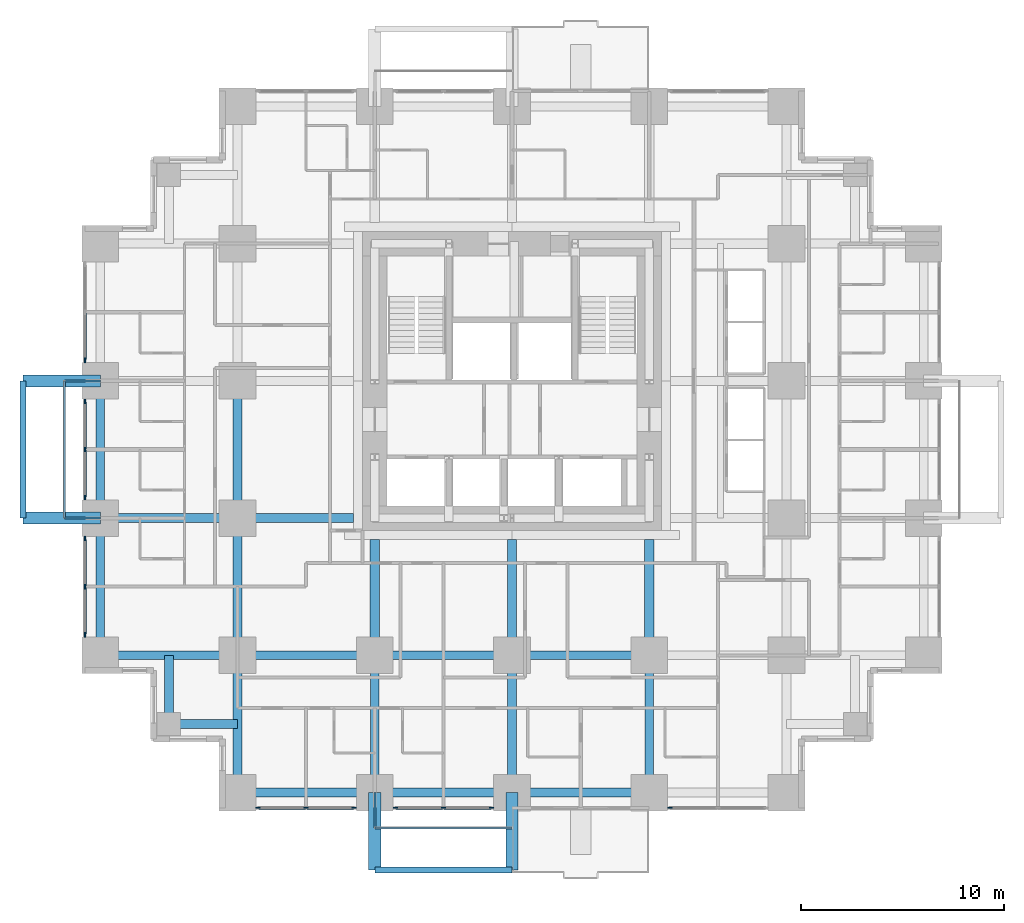
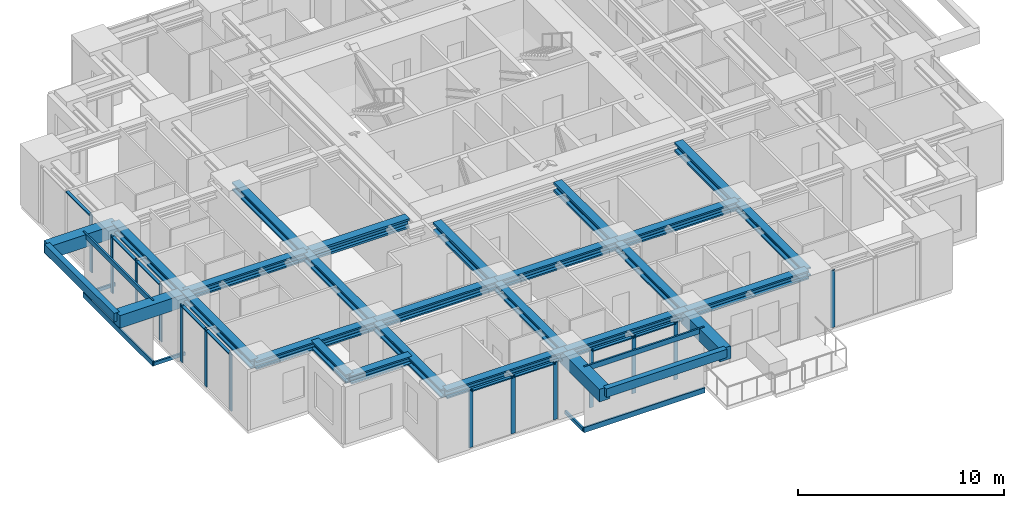
# One storey, part 2 of 12: 30 members, 28 beams, 6 elements without a shape of their own.
"""IFC4 building model written with IfcOpenShell, lengths in metres."""

from ifc_helpers import new_model, si_unit, direction, frame, origin, origin_2d, place, context, subcontext, project, spatial, rectangle, hollow_rectangle, i_section, extrude, material, material_profile, profile_set, type_object, element, aggregate, save


model = new_model("IFC4")

# Units and contexts
model_context = context("Model", 3, precision=1e-05, world=origin(), true_north=direction((0.0, 1.0)))
body_context = subcontext(model_context, "Body", "Model", "MODEL_VIEW")
ifc_project = project(units=[si_unit("LENGTHUNIT", "METRE"), si_unit("AREAUNIT", "SQUARE_METRE"), si_unit("VOLUMEUNIT", "CUBIC_METRE"), si_unit("PLANEANGLEUNIT", "RADIAN"), si_unit("MASSUNIT", "GRAM", prefix="KILO")], contexts=[model_context])

# Site, building, storey
site_placement = place(None, origin())
site = spatial("IfcSite", under=ifc_project, at=site_placement, CompositionType="ELEMENT")
building_placement = place(site_placement, origin())
building = spatial("IfcBuilding", under=site, at=building_placement, Name="Nyansa Garden Tower", CompositionType="ELEMENT")
storey_placement = place(building_placement, frame((0.0, 0.0, 98.10009765625)))
storey = spatial("IfcBuildingStorey", under=building, at=storey_placement, Name="L26", CompositionType="ELEMENT", Elevation=98.10009765625)

# Beams
ifc_material_1 = material(Name="Concrete C70/85", Category="concrete")
ifc_material_profile_1 = material_profile(ifc_material_1, rectangle(XDim=0.60009765625, YDim=0.75, at=origin_2d()), Name="RC 600x750")
ifc_profile_set_1 = profile_set([ifc_material_profile_1], Name="Concrete C70/85")
beam_type_1 = type_object("IfcBeamType", Name="Balcony cantilever beam CB1 RC 600x750", PredefinedType="BEAM", material=ifc_profile_set_1)
for number, where, z_axis, x_axis, name in (
    (1, (13.5, 0.0, 2.98486328125), (0.0, -1.0, 0.0), (1.0, 0.0, 0.0), "Balcony cantilever beam L27"),
    (2, (20.25, 0.0, 2.98486328125), (0.0, -1.0, 0.0), (1.0, 0.0, 0.0), "Balcony cantilever beam L27"),
    (3, (0.0, 13.5, 2.98486328125), (-1.0, 0.0, 0.0), (0.0, -1.0, 0.0), "Balcony cantilever beam L27"),
    (4, (0.0, 20.25, 2.98486328125), (-1.0, 0.0, 0.0), (0.0, -1.0, 0.0), "Balcony cantilever beam L27"),
):
    element("IfcBeam", number, at=place(storey_placement, frame(where, z_axis=z_axis, x_axis=x_axis)), inside=storey, type_object=beam_type_1, Name=name, PredefinedType="BEAM", context=body_context, shape_type="SweptSolid", body=[
        extrude(rectangle(XDim=0.60009765625, YDim=0.75, at=origin_2d()), origin(), (0.0, 0.0, 1.0), 3.800048828125),
    ])
ifc_material_2 = material(Name="Concrete C70/85", Category="concrete")
ifc_material_profile_2 = material_profile(ifc_material_2, rectangle(XDim=0.300048828125, YDim=0.5, at=origin_2d()), Name="RC 300x500")
ifc_profile_set_2 = profile_set([ifc_material_profile_2], Name="Concrete C70/85")
beam_type_2 = type_object("IfcBeamType", Name="Balcony edge beam BE1 RC 300x500", PredefinedType="BEAM", material=ifc_profile_set_2)
for number, where, z_axis, x_axis, name in (
    (5, (13.5, -3.800048828125, 3.10986328125), (1.0, 0.0, 0.0), (0.0, 1.0, 0.0), "Balcony edge beam L27"),
    (6, (-3.800048828125, 13.5, 3.10986328125), (0.0, 1.0, 0.0), (-1.0, 0.0, 0.0), "Balcony edge beam L27"),
):
    element("IfcBeam", number, at=place(storey_placement, frame(where, z_axis=z_axis, x_axis=x_axis)), inside=storey, type_object=beam_type_2, Name=name, PredefinedType="BEAM", context=body_context, shape_type="SweptSolid", body=[
        extrude(rectangle(XDim=0.300048828125, YDim=0.5, at=origin_2d()), origin(), (0.0, 0.0, 1.0), 6.75),
    ])

# Curtain wall, member
ifc_material_3 = material(Name="Black anodised aluminium, dark tinted double glazing", Category="aluminium")
curtain_wall_type = type_object("IfcCurtainWallType", Name="Inner skin curtain wall ISW-B", PredefinedType="USERDEFINED", material=ifc_material_3)
curtain_wall_1_placement = place(storey_placement, origin())
curtain_wall_1 = element("IfcCurtainWall", 7, at=curtain_wall_1_placement, inside=storey, type_object=curtain_wall_type, Name="Inner skin curtain wall L26 W", ObjectType="UNITISED CURTAIN WALL", PredefinedType="USERDEFINED")
ifc_material_4 = material(Name="Black anodised aluminium", Category="aluminium")
ifc_material_profile_3 = material_profile(ifc_material_4, rectangle(XDim=0.06494140625, YDim=0.22509765625, at=origin_2d()), Name="Mullion 225x65")
ifc_profile_set_3 = profile_set([ifc_material_profile_3], Name="Black anodised aluminium")
member_type_1 = type_object("IfcMemberType", Name="Mullion ISW-B 225x65", PredefinedType="MULLION", material=ifc_profile_set_3)
member_1_placement = place(storey_placement, frame((-0.75, 21.262451171875, 0.0), z_axis=(0.0, 0.0, 1.0), x_axis=(1.0, 0.0, 0.0)))
member_1 = element("IfcMember", 8, at=member_1_placement, type_object=member_type_1, Name="ISW-B mullion 3", PredefinedType="MULLION", context=body_context, shape_type="SweptSolid", body=[
    extrude(rectangle(XDim=0.06494140625, YDim=0.22509765625, at=origin_2d()), origin(), (0.0, 0.0, 1.0), 3.375),
])

# Curtain wall, members
curtain_wall_2_placement = place(storey_placement, origin())
curtain_wall_2 = element("IfcCurtainWall", 9, at=curtain_wall_2_placement, inside=storey, type_object=curtain_wall_type, Name="Inner skin curtain wall L26 W", ObjectType="UNITISED CURTAIN WALL", PredefinedType="USERDEFINED")
member_2_placement = place(storey_placement, frame((-0.75, 19.237548828125, 0.0), z_axis=(0.0, 0.0, 1.0), x_axis=(1.0, 0.0, 0.0)))
member_2 = element("IfcMember", 10, at=member_2_placement, type_object=member_type_1, Name="ISW-B mullion 1", PredefinedType="MULLION", context=body_context, shape_type="SweptSolid", body=[
    extrude(rectangle(XDim=0.06494140625, YDim=0.22509765625, at=origin_2d()), origin(), (0.0, 0.0, 1.0), 3.375),
])
member_3_placement = place(storey_placement, frame((-0.75, 16.875, 0.0), z_axis=(0.0, 0.0, 1.0), x_axis=(1.0, 0.0, 0.0)))
member_3 = element("IfcMember", 11, at=member_3_placement, type_object=member_type_1, Name="ISW-B mullion 2", PredefinedType="MULLION", context=body_context, shape_type="SweptSolid", body=[
    extrude(rectangle(XDim=0.06494140625, YDim=0.22509765625, at=origin_2d()), origin(), (0.0, 0.0, 1.0), 3.375),
])
member_4_placement = place(storey_placement, frame((-0.75, 14.512451171875, 0.0), z_axis=(0.0, 0.0, 1.0), x_axis=(1.0, 0.0, 0.0)))
member_4 = element("IfcMember", 12, at=member_4_placement, type_object=member_type_1, Name="ISW-B mullion 3", PredefinedType="MULLION", context=body_context, shape_type="SweptSolid", body=[
    extrude(rectangle(XDim=0.06494140625, YDim=0.22509765625, at=origin_2d()), origin(), (0.0, 0.0, 1.0), 3.375),
])

curtain_wall_3_placement = place(storey_placement, origin())
curtain_wall_3 = element("IfcCurtainWall", 13, at=curtain_wall_3_placement, inside=storey, type_object=curtain_wall_type, Name="Inner skin curtain wall L26 W", ObjectType="UNITISED CURTAIN WALL", PredefinedType="USERDEFINED")
member_5_placement = place(storey_placement, frame((-0.75, 12.487548828125, 0.0), z_axis=(0.0, 0.0, 1.0), x_axis=(1.0, 0.0, 0.0)))
member_5 = element("IfcMember", 14, at=member_5_placement, type_object=member_type_1, Name="ISW-B mullion 1", PredefinedType="MULLION", context=body_context, shape_type="SweptSolid", body=[
    extrude(rectangle(XDim=0.06494140625, YDim=0.22509765625, at=origin_2d()), origin(), (0.0, 0.0, 1.0), 3.375),
])
member_6_placement = place(storey_placement, frame((-0.75, 10.125, 0.0), z_axis=(0.0, 0.0, 1.0), x_axis=(1.0, 0.0, 0.0)))
member_6 = element("IfcMember", 15, at=member_6_placement, type_object=member_type_1, Name="ISW-B mullion 2", PredefinedType="MULLION", context=body_context, shape_type="SweptSolid", body=[
    extrude(rectangle(XDim=0.06494140625, YDim=0.22509765625, at=origin_2d()), origin(), (0.0, 0.0, 1.0), 3.375),
])
member_7_placement = place(storey_placement, frame((-0.75, 7.762451171875, 0.0), z_axis=(0.0, 0.0, 1.0), x_axis=(1.0, 0.0, 0.0)))
member_7 = element("IfcMember", 16, at=member_7_placement, type_object=member_type_1, Name="ISW-B mullion 3", PredefinedType="MULLION", context=body_context, shape_type="SweptSolid", body=[
    extrude(rectangle(XDim=0.06494140625, YDim=0.22509765625, at=origin_2d()), origin(), (0.0, 0.0, 1.0), 3.375),
])

curtain_wall_4_placement = place(storey_placement, origin())
curtain_wall_4 = element("IfcCurtainWall", 17, at=curtain_wall_4_placement, inside=storey, type_object=curtain_wall_type, Name="Inner skin curtain wall L26 S", ObjectType="UNITISED CURTAIN WALL", PredefinedType="USERDEFINED")
member_8_placement = place(storey_placement, frame((7.762451171875, -0.75, 0.0), z_axis=(0.0, 0.0, 1.0), x_axis=(0.0, 1.0, 0.0)))
member_8 = element("IfcMember", 18, at=member_8_placement, type_object=member_type_1, Name="ISW-B mullion 1", PredefinedType="MULLION", context=body_context, shape_type="SweptSolid", body=[
    extrude(rectangle(XDim=0.06494140625, YDim=0.22509765625, at=origin_2d()), origin(), (0.0, 0.0, 1.0), 3.375),
])
member_9_placement = place(storey_placement, frame((10.125, -0.75, 0.0), z_axis=(0.0, 0.0, 1.0), x_axis=(0.0, 1.0, 0.0)))
member_9 = element("IfcMember", 19, at=member_9_placement, type_object=member_type_1, Name="ISW-B mullion 2", PredefinedType="MULLION", context=body_context, shape_type="SweptSolid", body=[
    extrude(rectangle(XDim=0.06494140625, YDim=0.22509765625, at=origin_2d()), origin(), (0.0, 0.0, 1.0), 3.375),
])
member_10_placement = place(storey_placement, frame((12.487548828125, -0.75, 0.0), z_axis=(0.0, 0.0, 1.0), x_axis=(0.0, 1.0, 0.0)))
member_10 = element("IfcMember", 20, at=member_10_placement, type_object=member_type_1, Name="ISW-B mullion 3", PredefinedType="MULLION", context=body_context, shape_type="SweptSolid", body=[
    extrude(rectangle(XDim=0.06494140625, YDim=0.22509765625, at=origin_2d()), origin(), (0.0, 0.0, 1.0), 3.375),
])

curtain_wall_5_placement = place(storey_placement, origin())
curtain_wall_5 = element("IfcCurtainWall", 21, at=curtain_wall_5_placement, inside=storey, type_object=curtain_wall_type, Name="Inner skin curtain wall L26 S", ObjectType="UNITISED CURTAIN WALL", PredefinedType="USERDEFINED")
member_11_placement = place(storey_placement, frame((14.512451171875, -0.75, 0.0), z_axis=(0.0, 0.0, 1.0), x_axis=(0.0, 1.0, 0.0)))
member_11 = element("IfcMember", 22, at=member_11_placement, type_object=member_type_1, Name="ISW-B mullion 1", PredefinedType="MULLION", context=body_context, shape_type="SweptSolid", body=[
    extrude(rectangle(XDim=0.06494140625, YDim=0.22509765625, at=origin_2d()), origin(), (0.0, 0.0, 1.0), 3.375),
])
member_12_placement = place(storey_placement, frame((16.875, -0.75, 0.0), z_axis=(0.0, 0.0, 1.0), x_axis=(0.0, 1.0, 0.0)))
member_12 = element("IfcMember", 23, at=member_12_placement, type_object=member_type_1, Name="ISW-B mullion 2", PredefinedType="MULLION", context=body_context, shape_type="SweptSolid", body=[
    extrude(rectangle(XDim=0.06494140625, YDim=0.22509765625, at=origin_2d()), origin(), (0.0, 0.0, 1.0), 3.375),
])
member_13_placement = place(storey_placement, frame((19.237548828125, -0.75, 0.0), z_axis=(0.0, 0.0, 1.0), x_axis=(0.0, 1.0, 0.0)))
member_13 = element("IfcMember", 24, at=member_13_placement, type_object=member_type_1, Name="ISW-B mullion 3", PredefinedType="MULLION", context=body_context, shape_type="SweptSolid", body=[
    extrude(rectangle(XDim=0.06494140625, YDim=0.22509765625, at=origin_2d()), origin(), (0.0, 0.0, 1.0), 3.375),
])

# Curtain wall, member
curtain_wall_6_placement = place(storey_placement, origin())
curtain_wall_6 = element("IfcCurtainWall", 25, at=curtain_wall_6_placement, inside=storey, type_object=curtain_wall_type, Name="Inner skin curtain wall L26 S", ObjectType="UNITISED CURTAIN WALL", PredefinedType="USERDEFINED")
member_14_placement = place(storey_placement, frame((28.012451171875, -0.75, 0.0), z_axis=(0.0, 0.0, 1.0), x_axis=(0.0, 1.0, 0.0)))
member_14 = element("IfcMember", 26, at=member_14_placement, type_object=member_type_1, Name="ISW-B mullion 1", PredefinedType="MULLION", context=body_context, shape_type="SweptSolid", body=[
    extrude(rectangle(XDim=0.06494140625, YDim=0.22509765625, at=origin_2d()), origin(), (0.0, 0.0, 1.0), 3.375),
])
aggregate(curtain_wall_6, [member_14])

# Members
ifc_material_5 = material(Name="Steel S355, black powder coated", Category="steel")
ifc_material_profile_4 = material_profile(ifc_material_5, hollow_rectangle(XDim=0.10009765625, YDim=0.199951171875, WallThickness=0.008056640625, at=origin_2d()), Name="RHS 200x100x8")
ifc_profile_set_4 = profile_set([ifc_material_profile_4], Name="Steel S355, black powder coated")
member_type_2 = type_object("IfcMemberType", Name="Outer skin bracket arm RHS 200x100x8", PredefinedType="USERDEFINED", material=ifc_profile_set_4)
for number, where, z_axis, x_axis, name in (
    (27, (0.0, 13.5, -0.375), (-1.0, 0.0, 0.0), (0.0, -1.0, 0.0), "Outer skin bracket arm"),
    (28, (0.0, 20.25, -0.375), (-1.0, 0.0, 0.0), (0.0, -1.0, 0.0), "Outer skin bracket arm"),
    (29, (13.5, 0.0, -0.375), (0.0, -1.0, 0.0), (1.0, 0.0, 0.0), "Outer skin bracket arm"),
):
    element("IfcMember", number, at=place(storey_placement, frame(where, z_axis=z_axis, x_axis=x_axis)), inside=storey, type_object=member_type_2, Name=name, ObjectType="OUTER SKIN BRACKET", PredefinedType="USERDEFINED", context=body_context, shape_type="SweptSolid", body=[
        extrude(hollow_rectangle(XDim=0.10009765625, YDim=0.199951171875, WallThickness=0.008056640625, at=origin_2d()), origin(), (0.0, 0.0, 1.0), 1.75),
    ])
ifc_material_6 = material(Name="Steel S355, black powder coated", Category="steel")
ifc_material_profile_5 = material_profile(ifc_material_6, hollow_rectangle(XDim=0.10009765625, YDim=0.300048828125, WallThickness=0.010009765625, at=origin_2d()), Name="RHS 300x100x10")
ifc_profile_set_5 = profile_set([ifc_material_profile_5], Name="Steel S355, black powder coated")
member_type_3 = type_object("IfcMemberType", Name="Outer skin rail RHS 300x100x10", PredefinedType="USERDEFINED", material=ifc_profile_set_5)
for number, where, z_axis, x_axis, name in (
    (30, (-1.75, 13.5, -0.375), (0.0, 1.0, 0.0), (-1.0, 0.0, 0.0), "Outer skin rail L26"),
    (31, (-1.75, 13.5, 3.224853515625), (0.0, 1.0, 0.0), (-1.0, 0.0, 0.0), "Outer skin rail L26 head"),
    (32, (13.5, -1.75, -0.375), (1.0, 0.0, 0.0), (0.0, 1.0, 0.0), "Outer skin rail L26"),
    (33, (13.5, -1.75, 3.224853515625), (1.0, 0.0, 0.0), (0.0, 1.0, 0.0), "Outer skin rail L26 head"),
):
    element("IfcMember", number, at=place(storey_placement, frame(where, z_axis=z_axis, x_axis=x_axis)), inside=storey, type_object=member_type_3, Name=name, ObjectType="OUTER SKIN RAIL", PredefinedType="USERDEFINED", context=body_context, shape_type="SweptSolid", body=[
        extrude(hollow_rectangle(XDim=0.10009765625, YDim=0.300048828125, WallThickness=0.010009765625, at=origin_2d()), origin(), (0.0, 0.0, 1.0), 6.75),
    ])

# Beams
ifc_material_7 = material(Name="Steel S355", Category="steel")
ifc_material_profile_6 = material_profile(ifc_material_7, i_section(OverallWidth=0.431884765625, OverallDepth=0.498046875, WebThickness=0.0556640625, FlangeThickness=0.0888671875, FilletRadius=0.014892578125, at=origin_2d()), Name="HD 400x744")
ifc_profile_set_6 = profile_set([ifc_material_profile_6], Name="Steel S355")
beam_type_3 = type_object("IfcBeamType", Name="Steel beam SBB1-744 HD 400x744", PredefinedType="BEAM", material=ifc_profile_set_6)
for number, where, z_axis, x_axis, name in (
    (34, (0.0, 6.75, 3.1259765625), (1.0, 0.0, 0.0), (0.0, 1.0, 0.0), "Steel beam 2/E-3/E L27"),
    (35, (0.0, 13.5, 3.1259765625), (1.0, 0.0, 0.0), (0.0, 1.0, 0.0), "Steel beam 2/F-3/F L27"),
    (36, (6.75, 0.0, 3.1259765625), (0.0, 1.0, 0.0), (-1.0, 0.0, 0.0), "Steel beam 3/D-3/E L27"),
    (37, (6.75, 6.75, 3.1259765625), (0.0, 1.0, 0.0), (-1.0, 0.0, 0.0), "Steel beam 3/E-3/F L27"),
    (38, (6.75, 6.75, 3.1259765625), (1.0, 0.0, 0.0), (0.0, 1.0, 0.0), "Steel beam 3/E-4/E L27"),
    (39, (6.75, 13.5, 3.1259765625), (0.0, 1.0, 0.0), (-1.0, 0.0, 0.0), "Steel beam 3/F-3/G L27"),
    (40, (13.5, 0.0, 3.1259765625), (0.0, 1.0, 0.0), (-1.0, 0.0, 0.0), "Steel beam 4/D-4/E L27"),
    (41, (13.5, 6.75, 3.1259765625), (1.0, 0.0, 0.0), (0.0, 1.0, 0.0), "Steel beam 4/E-5/E L27"),
    (42, (20.25, 0.0, 3.1259765625), (0.0, 1.0, 0.0), (-1.0, 0.0, 0.0), "Steel beam 5/D-5/E L27"),
    (43, (20.25, 6.75, 3.1259765625), (1.0, 0.0, 0.0), (0.0, 1.0, 0.0), "Steel beam 5/E-6/E L27"),
    (44, (27.0, 0.0, 3.1259765625), (0.0, 1.0, 0.0), (-1.0, 0.0, 0.0), "Steel beam 6/D-6/E L27"),
):
    element("IfcBeam", number, at=place(storey_placement, frame(where, z_axis=z_axis, x_axis=x_axis)), inside=storey, type_object=beam_type_3, Name=name, PredefinedType="BEAM", context=body_context, shape_type="SweptSolid", body=[
        extrude(i_section(OverallWidth=0.431884765625, OverallDepth=0.498046875, WebThickness=0.0556640625, FlangeThickness=0.0888671875, FilletRadius=0.014892578125, at=origin_2d()), origin(), (0.0, 0.0, 1.0), 6.75),
    ])
ifc_material_8 = material(Name="Steel S355", Category="steel")
ifc_material_profile_7 = material_profile(ifc_material_8, i_section(OverallWidth=0.4541015625, OverallDepth=0.569091796875, WebThickness=0.077880859375, FlangeThickness=0.125, FilletRadius=0.014892578125, at=origin_2d()), Name="HD 400x1086")
ifc_profile_set_7 = profile_set([ifc_material_profile_7], Name="Steel S355")
beam_type_4 = type_object("IfcBeamType", Name="Steel beam SCL-1086 HD 400x1086", PredefinedType="BEAM", material=ifc_profile_set_7)
for number, where, z_axis, x_axis, name in (
    (45, (6.75, 13.5, 3.09033203125), (1.0, 0.0, 0.0), (0.0, 1.0, 0.0), "Steel beam 3/F-12.450/F L27"),
    (46, (13.5, 6.75, 3.09033203125), (0.0, 1.0, 0.0), (-1.0, 0.0, 0.0), "Steel beam 4/E-4/12.450 L27"),
    (47, (20.25, 6.75, 3.09033203125), (0.0, 1.0, 0.0), (-1.0, 0.0, 0.0), "Steel beam 5/E-5/12.450 L27"),
    (48, (27.0, 6.75, 3.09033203125), (0.0, 1.0, 0.0), (-1.0, 0.0, 0.0), "Steel beam 6/E-6/12.450 L27"),
):
    element("IfcBeam", number, at=place(storey_placement, frame(where, z_axis=z_axis, x_axis=x_axis)), inside=storey, type_object=beam_type_4, Name=name, PredefinedType="BEAM", context=body_context, shape_type="SweptSolid", body=[
        extrude(i_section(OverallWidth=0.4541015625, OverallDepth=0.569091796875, WebThickness=0.077880859375, FlangeThickness=0.125, FilletRadius=0.014892578125, at=origin_2d()), origin(), (0.0, 0.0, 1.0), 5.699951171875),
    ])
ifc_material_9 = material(Name="Steel S355", Category="steel")
ifc_material_profile_8 = material_profile(ifc_material_9, i_section(OverallWidth=0.431884765625, OverallDepth=0.498046875, WebThickness=0.0556640625, FlangeThickness=0.0888671875, FilletRadius=0.014892578125, at=origin_2d()), Name="HD 400x744")
ifc_profile_set_8 = profile_set([ifc_material_profile_8], Name="Steel S355")
beam_type_5 = type_object("IfcBeamType", Name="Steel beam SEBB-744 HD 400x744", PredefinedType="BEAM", material=ifc_profile_set_8)
for number, where, z_axis, x_axis, name in (
    (49, (0.0, 6.75, 3.1259765625), (0.0, 1.0, 0.0), (-1.0, 0.0, 0.0), "Steel edge beam 2/E-2/F L27"),
    (50, (0.0, 13.5, 3.1259765625), (0.0, 1.0, 0.0), (-1.0, 0.0, 0.0), "Steel edge beam 2/F-2/G L27"),
    (51, (6.75, 0.0, 3.1259765625), (1.0, 0.0, 0.0), (0.0, 1.0, 0.0), "Steel edge beam 3/D-4/D L27"),
    (52, (13.5, 0.0, 3.1259765625), (1.0, 0.0, 0.0), (0.0, 1.0, 0.0), "Steel edge beam 4/D-5/D L27"),
    (53, (20.25, 0.0, 3.1259765625), (1.0, 0.0, 0.0), (0.0, 1.0, 0.0), "Steel edge beam 5/D-6/D L27"),
):
    element("IfcBeam", number, at=place(storey_placement, frame(where, z_axis=z_axis, x_axis=x_axis)), inside=storey, type_object=beam_type_5, Name=name, PredefinedType="BEAM", context=body_context, shape_type="SweptSolid", body=[
        extrude(i_section(OverallWidth=0.431884765625, OverallDepth=0.498046875, WebThickness=0.0556640625, FlangeThickness=0.0888671875, FilletRadius=0.014892578125, at=origin_2d()), origin(), (0.0, 0.0, 1.0), 6.75),
    ])
ifc_material_10 = material(Name="Steel S355", Category="steel")
ifc_material_profile_9 = material_profile(ifc_material_10, i_section(OverallWidth=0.431884765625, OverallDepth=0.498046875, WebThickness=0.0556640625, FlangeThickness=0.0888671875, FilletRadius=0.014892578125, at=origin_2d()), Name="HD 400x744")
ifc_profile_set_9 = profile_set([ifc_material_profile_9], Name="Steel S355")
beam_type_6 = type_object("IfcBeamType", Name="Steel beam SSB1-744 HD 400x744", PredefinedType="BEAM", material=ifc_profile_set_9)
for number, where, z_axis, x_axis, name in (
    (54, (3.375, 3.375, 3.1259765625), (0.0, 1.0, 0.0), (-1.0, 0.0, 0.0), "Steel step beam 3.375/3.375 L27"),
    (55, (3.375, 3.375, 3.1259765625), (1.0, 0.0, 0.0), (0.0, 1.0, 0.0), "Steel step beam 3.375/3.375 L27"),
):
    element("IfcBeam", number, at=place(storey_placement, frame(where, z_axis=z_axis, x_axis=x_axis)), inside=storey, type_object=beam_type_6, Name=name, PredefinedType="BEAM", context=body_context, shape_type="SweptSolid", body=[
        extrude(i_section(OverallWidth=0.431884765625, OverallDepth=0.498046875, WebThickness=0.0556640625, FlangeThickness=0.0888671875, FilletRadius=0.014892578125, at=origin_2d()), origin(), (0.0, 0.0, 1.0), 3.375),
    ])

# Member
ifc_material_11 = material(Name="Black anodised aluminium", Category="aluminium")
ifc_material_profile_10 = material_profile(ifc_material_11, rectangle(XDim=0.1650390625, YDim=0.06494140625, at=origin_2d()), Name="Transom 165x65")
ifc_profile_set_10 = profile_set([ifc_material_profile_10], Name="Black anodised aluminium")
member_type_4 = type_object("IfcMemberType", Name="Transom ISW-B 165x65", PredefinedType="USERDEFINED", material=ifc_profile_set_10)
member_15_placement = place(storey_placement, frame((-0.75, 23.592529296875, 3.34228515625), z_axis=(0.0, -1.0, 0.0), x_axis=(1.0, 0.0, 0.0)))
member_15 = element("IfcMember", 56, at=member_15_placement, type_object=member_type_4, Name="ISW-B transom 2", ObjectType="TRANSOM", PredefinedType="USERDEFINED", context=body_context, shape_type="SweptSolid", body=[
    extrude(rectangle(XDim=0.1650390625, YDim=0.06494140625, at=origin_2d()), origin(), (0.0, 0.0, 1.0), 2.297607421875),
])

aggregate(curtain_wall_1, [member_1, member_15])

member_16_placement = place(storey_placement, frame((-0.75, 19.205078125, 3.34228515625), z_axis=(0.0, -1.0, 0.0), x_axis=(1.0, 0.0, 0.0)))
member_16 = element("IfcMember", 57, at=member_16_placement, type_object=member_type_4, Name="ISW-B transom 1", ObjectType="TRANSOM", PredefinedType="USERDEFINED", context=body_context, shape_type="SweptSolid", body=[
    extrude(rectangle(XDim=0.1650390625, YDim=0.06494140625, at=origin_2d()), origin(), (0.0, 0.0, 1.0), 2.297607421875),
])

member_17_placement = place(storey_placement, frame((-0.75, 16.842529296875, 3.34228515625), z_axis=(0.0, -1.0, 0.0), x_axis=(1.0, 0.0, 0.0)))
member_17 = element("IfcMember", 58, at=member_17_placement, type_object=member_type_4, Name="ISW-B transom 2", ObjectType="TRANSOM", PredefinedType="USERDEFINED", context=body_context, shape_type="SweptSolid", body=[
    extrude(rectangle(XDim=0.1650390625, YDim=0.06494140625, at=origin_2d()), origin(), (0.0, 0.0, 1.0), 2.297607421875),
])

aggregate(curtain_wall_2, [member_2, member_3, member_4, member_16, member_17])

member_18_placement = place(storey_placement, frame((-0.75, 12.455078125, 3.34228515625), z_axis=(0.0, -1.0, 0.0), x_axis=(1.0, 0.0, 0.0)))
member_18 = element("IfcMember", 59, at=member_18_placement, type_object=member_type_4, Name="ISW-B transom 1", ObjectType="TRANSOM", PredefinedType="USERDEFINED", context=body_context, shape_type="SweptSolid", body=[
    extrude(rectangle(XDim=0.1650390625, YDim=0.06494140625, at=origin_2d()), origin(), (0.0, 0.0, 1.0), 2.297607421875),
])

member_19_placement = place(storey_placement, frame((-0.75, 10.092529296875, 3.34228515625), z_axis=(0.0, -1.0, 0.0), x_axis=(1.0, 0.0, 0.0)))
member_19 = element("IfcMember", 60, at=member_19_placement, type_object=member_type_4, Name="ISW-B transom 2", ObjectType="TRANSOM", PredefinedType="USERDEFINED", context=body_context, shape_type="SweptSolid", body=[
    extrude(rectangle(XDim=0.1650390625, YDim=0.06494140625, at=origin_2d()), origin(), (0.0, 0.0, 1.0), 2.297607421875),
])

aggregate(curtain_wall_3, [member_5, member_6, member_7, member_18, member_19])

member_20_placement = place(storey_placement, frame((7.794921875, -0.75, 3.34228515625), z_axis=(1.0, 0.0, 0.0), x_axis=(0.0, 1.0, 0.0)))
member_20 = element("IfcMember", 61, at=member_20_placement, type_object=member_type_4, Name="ISW-B transom 1", ObjectType="TRANSOM", PredefinedType="USERDEFINED", context=body_context, shape_type="SweptSolid", body=[
    extrude(rectangle(XDim=0.1650390625, YDim=0.06494140625, at=origin_2d()), origin(), (0.0, 0.0, 1.0), 2.297607421875),
])

member_21_placement = place(storey_placement, frame((10.157470703125, -0.75, 3.34228515625), z_axis=(1.0, 0.0, 0.0), x_axis=(0.0, 1.0, 0.0)))
member_21 = element("IfcMember", 62, at=member_21_placement, type_object=member_type_4, Name="ISW-B transom 2", ObjectType="TRANSOM", PredefinedType="USERDEFINED", context=body_context, shape_type="SweptSolid", body=[
    extrude(rectangle(XDim=0.1650390625, YDim=0.06494140625, at=origin_2d()), origin(), (0.0, 0.0, 1.0), 2.297607421875),
])

aggregate(curtain_wall_4, [member_8, member_9, member_10, member_20, member_21])

member_22_placement = place(storey_placement, frame((14.544921875, -0.75, 3.34228515625), z_axis=(1.0, 0.0, 0.0), x_axis=(0.0, 1.0, 0.0)))
member_22 = element("IfcMember", 63, at=member_22_placement, type_object=member_type_4, Name="ISW-B transom 1", ObjectType="TRANSOM", PredefinedType="USERDEFINED", context=body_context, shape_type="SweptSolid", body=[
    extrude(rectangle(XDim=0.1650390625, YDim=0.06494140625, at=origin_2d()), origin(), (0.0, 0.0, 1.0), 2.297607421875),
])

member_23_placement = place(storey_placement, frame((16.907470703125, -0.75, 3.34228515625), z_axis=(1.0, 0.0, 0.0), x_axis=(0.0, 1.0, 0.0)))
member_23 = element("IfcMember", 64, at=member_23_placement, type_object=member_type_4, Name="ISW-B transom 2", ObjectType="TRANSOM", PredefinedType="USERDEFINED", context=body_context, shape_type="SweptSolid", body=[
    extrude(rectangle(XDim=0.1650390625, YDim=0.06494140625, at=origin_2d()), origin(), (0.0, 0.0, 1.0), 2.297607421875),
])

aggregate(curtain_wall_5, [member_11, member_12, member_13, member_22, member_23])

save(model, "model.ifc")
